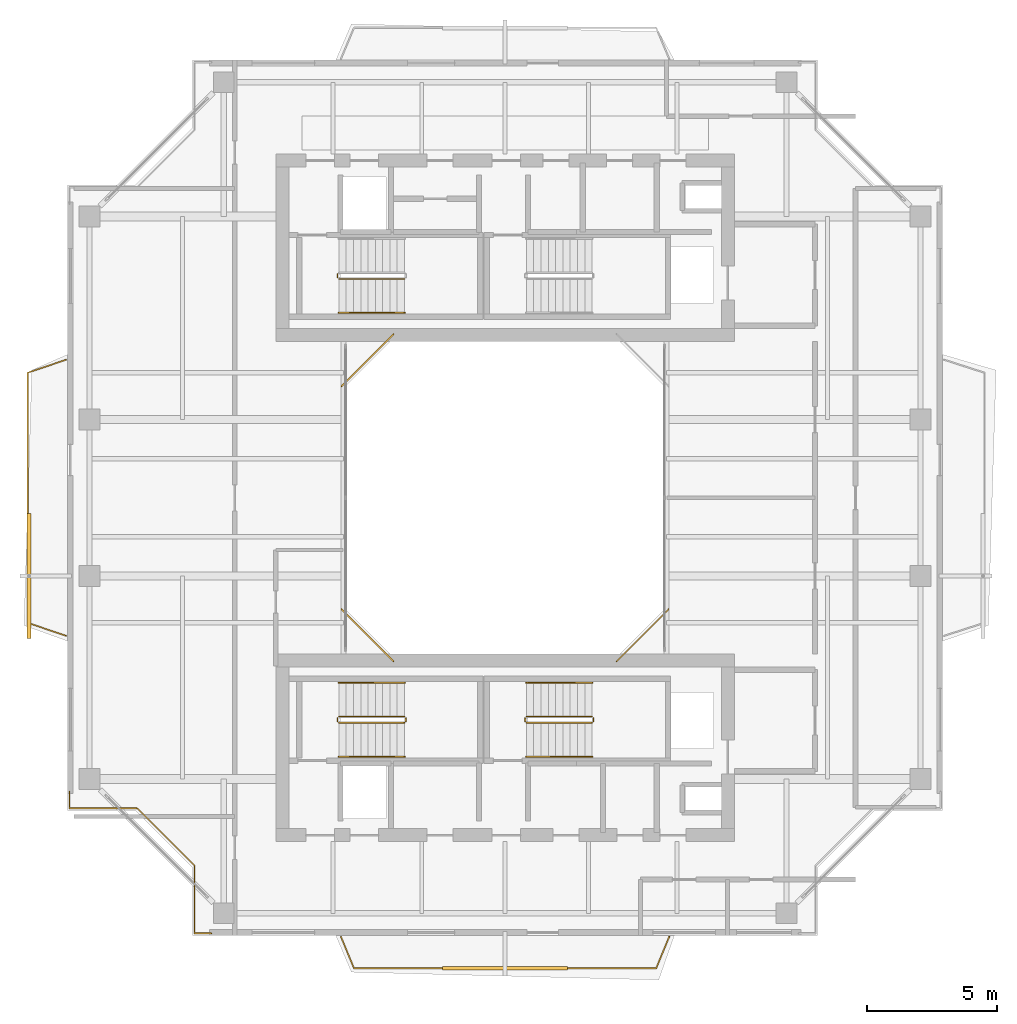
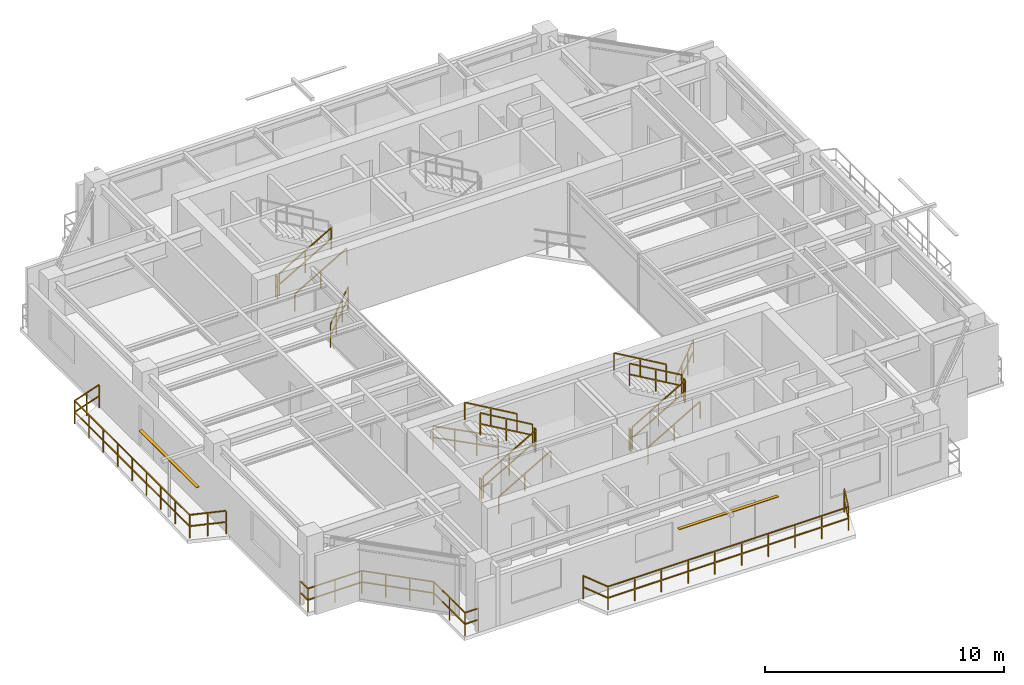
# One storey, part 14 of 16: 21 railings, 2 shading devices.
"""IFC4 building model written with IfcOpenShell, lengths in metres."""

from ifc_helpers import new_model, si_unit, direction, frame, origin, origin_2d, place, context, subcontext, project, spatial, rectangle, extrude, source, transform, mapped, material, material_profile, profile_set, type_object, element, save


model = new_model("IFC4")

# Units and contexts
model_context = context("Model", 3, precision=1e-05, world=origin(), true_north=direction((0.0, 1.0)))
body_context = subcontext(model_context, "Body", "Model", "MODEL_VIEW")
ifc_project = project(units=[si_unit("LENGTHUNIT", "METRE"), si_unit("AREAUNIT", "SQUARE_METRE"), si_unit("VOLUMEUNIT", "CUBIC_METRE"), si_unit("PLANEANGLEUNIT", "RADIAN"), si_unit("MASSUNIT", "GRAM", prefix="KILO"), si_unit("THERMODYNAMICTEMPERATUREUNIT", "KELVIN"), si_unit("POWERUNIT", "WATT")], contexts=[model_context])

# Site, building, storey
site_placement = place(None, origin())
site = spatial("IfcSite", under=ifc_project, at=site_placement, CompositionType="ELEMENT")
building_placement = place(site_placement, origin())
building = spatial("IfcBuilding", under=site, at=building_placement, Name="Qiaomeng Ring Towers", CompositionType="ELEMENT")
storey_placement = place(building_placement, frame((0.0, 0.0, 229.5)))
storey = spatial("IfcBuildingStorey", under=building, at=storey_placement, Name="L67", CompositionType="ELEMENT", Elevation=229.5)

# Railings
ifc_material_1 = material(Name="Low-E pale-green laminated safety glass", Category="glass")
railing_type_1 = type_object("IfcRailingType", Name="ARC-RL-BAL1", PredefinedType="BALUSTRADE", material=ifc_material_1)
railing_1_placement = place(storey_placement, frame((23.280029296875, 16.719970703125, 0.0)))
element("IfcRailing", 1, at=railing_1_placement, inside=storey, type_object=railing_type_1, Name="L67 Balustrade ARC-BAL-WELL1-L67-1", PredefinedType="BALUSTRADE", context=body_context, shape_type="SweptSolid", body=[
    extrude(rectangle(XDim=0.048095703125, YDim=0.048095703125, at=origin_2d()), frame((0.0, 0.0, 1.17578125), z_axis=(0.707106781187, 0.707106781187, 0.0), x_axis=(-0.707106781187, 0.707106781187, 0.0)), (0.0, 0.0, 1.0), 2.828369140625),
    extrude(rectangle(XDim=0.048095703125, YDim=0.048095703125, at=origin_2d()), frame((0.0, 0.0, 0.60009765625), z_axis=(0.707106781187, 0.707106781187, 0.0), x_axis=(-0.707106781187, 0.707106781187, 0.0)), (0.0, 0.0, 1.0), 2.828369140625),
    extrude(rectangle(XDim=0.0419921875, YDim=0.0419921875, at=origin_2d()), origin(), (0.0, 0.0, 1.0), 1.15185546875),
    extrude(rectangle(XDim=0.0419921875, YDim=0.0419921875, at=origin_2d()), frame((0.666748046875, 0.666748046875, 0.0)), (0.0, 0.0, 1.0), 1.15185546875),
    extrude(rectangle(XDim=0.0419921875, YDim=0.0419921875, at=origin_2d()), frame((1.333251953125, 1.333251953125, 0.0)), (0.0, 0.0, 1.0), 1.15185546875),
    extrude(rectangle(XDim=0.0419921875, YDim=0.0419921875, at=origin_2d()), frame((2.0, 2.0, 0.0)), (0.0, 0.0, 1.0), 1.15185546875),
])
railing_2_placement = place(storey_placement, frame((14.719970703125, 29.280029296875, 0.0)))
element("IfcRailing", 2, at=railing_2_placement, inside=storey, type_object=railing_type_1, Name="L67 Balustrade ARC-BAL-WELL1-L67-3", PredefinedType="BALUSTRADE", context=body_context, shape_type="SweptSolid", body=[
    extrude(rectangle(XDim=0.048095703125, YDim=0.048095703125, at=origin_2d()), frame((0.0, 0.0, 1.17578125), z_axis=(-0.707106781187, -0.707106781187, 0.0), x_axis=(0.707106781187, -0.707106781187, 0.0)), (0.0, 0.0, 1.0), 2.828369140625),
    extrude(rectangle(XDim=0.048095703125, YDim=0.048095703125, at=origin_2d()), frame((0.0, 0.0, 0.60009765625), z_axis=(-0.707106781187, -0.707106781187, 0.0), x_axis=(0.707106781187, -0.707106781187, 0.0)), (0.0, 0.0, 1.0), 2.828369140625),
    extrude(rectangle(XDim=0.0419921875, YDim=0.0419921875, at=origin_2d()), origin(), (0.0, 0.0, 1.0), 1.15185546875),
    extrude(rectangle(XDim=0.0419921875, YDim=0.0419921875, at=origin_2d()), frame((-0.666748046875, -0.666748046875, 0.0)), (0.0, 0.0, 1.0), 1.15185546875),
    extrude(rectangle(XDim=0.0419921875, YDim=0.0419921875, at=origin_2d()), frame((-1.333251953125, -1.333251953125, 0.0)), (0.0, 0.0, 1.0), 1.15185546875),
    extrude(rectangle(XDim=0.0419921875, YDim=0.0419921875, at=origin_2d()), frame((-2.0, -2.0, 0.0)), (0.0, 0.0, 1.0), 1.15185546875),
])
railing_3_placement = place(storey_placement, frame((12.719970703125, 18.719970703125, 0.0)))
element("IfcRailing", 3, at=railing_3_placement, inside=storey, type_object=railing_type_1, Name="L67 Balustrade ARC-BAL-WELL1-L67-4", PredefinedType="BALUSTRADE", context=body_context, shape_type="SweptSolid", body=[
    extrude(rectangle(XDim=0.048095703125, YDim=0.048095703125, at=origin_2d()), frame((0.0, 0.0, 1.17578125), z_axis=(0.707106781187, -0.707106781187, 0.0), x_axis=(0.707106781187, 0.707106781187, 0.0)), (0.0, 0.0, 1.0), 2.828369140625),
    extrude(rectangle(XDim=0.048095703125, YDim=0.048095703125, at=origin_2d()), frame((0.0, 0.0, 0.60009765625), z_axis=(0.707106781187, -0.707106781187, 0.0), x_axis=(0.707106781187, 0.707106781187, 0.0)), (0.0, 0.0, 1.0), 2.828369140625),
    extrude(rectangle(XDim=0.0419921875, YDim=0.0419921875, at=origin_2d()), origin(), (0.0, 0.0, 1.0), 1.15185546875),
    extrude(rectangle(XDim=0.0419921875, YDim=0.0419921875, at=origin_2d()), frame((0.666748046875, -0.666748046875, 0.0)), (0.0, 0.0, 1.0), 1.15185546875),
    extrude(rectangle(XDim=0.0419921875, YDim=0.0419921875, at=origin_2d()), frame((1.333251953125, -1.333251953125, 0.0)), (0.0, 0.0, 1.0), 1.15185546875),
    extrude(rectangle(XDim=0.0419921875, YDim=0.0419921875, at=origin_2d()), frame((2.0, -2.0, 0.0)), (0.0, 0.0, 1.0), 1.15185546875),
])
railing_4_placement = place(storey_placement, frame((2.280029296875, 11.72998046875, 0.0)))
element("IfcRailing", 4, at=railing_4_placement, inside=storey, type_object=railing_type_1, Name="L67 Balustrade ARC-BAL-NOTCH1-L67-SW", PredefinedType="BALUSTRADE", context=body_context, shape_type="SweptSolid", body=[
    extrude(rectangle(XDim=0.048095703125, YDim=0.048095703125, at=origin_2d()), frame((0.0, 0.0, 1.17578125), z_axis=(0.0, -1.0, 0.0), x_axis=(1.0, 0.0, 0.0)), (0.0, 0.0, 1.0), 0.64990234375),
    extrude(rectangle(XDim=0.048095703125, YDim=0.048095703125, at=origin_2d()), frame((0.0, 0.0, 0.60009765625), z_axis=(0.0, -1.0, 0.0), x_axis=(1.0, 0.0, 0.0)), (0.0, 0.0, 1.0), 0.64990234375),
    extrude(rectangle(XDim=0.048095703125, YDim=0.048095703125, at=origin_2d()), frame((0.0, -0.64990234375, 1.17578125), z_axis=(1.0, 0.0, 0.0), x_axis=(0.0, 1.0, 0.0)), (0.0, 0.0, 1.0), 2.599853515625),
    extrude(rectangle(XDim=0.048095703125, YDim=0.048095703125, at=origin_2d()), frame((0.0, -0.64990234375, 0.60009765625), z_axis=(1.0, 0.0, 0.0), x_axis=(0.0, 1.0, 0.0)), (0.0, 0.0, 1.0), 2.599853515625),
    extrude(rectangle(XDim=0.048095703125, YDim=0.048095703125, at=origin_2d()), frame((2.599853515625, -0.64990234375, 1.17578125), z_axis=(0.707106781187, -0.707106781187, 0.0), x_axis=(0.707106781187, 0.707106781187, 0.0)), (0.0, 0.0, 1.0), 3.111572265625),
    extrude(rectangle(XDim=0.048095703125, YDim=0.048095703125, at=origin_2d()), frame((2.599853515625, -0.64990234375, 0.60009765625), z_axis=(0.707106781187, -0.707106781187, 0.0), x_axis=(0.707106781187, 0.707106781187, 0.0)), (0.0, 0.0, 1.0), 3.111572265625),
    extrude(rectangle(XDim=0.048095703125, YDim=0.048095703125, at=origin_2d()), frame((4.800048828125, -2.85009765625, 1.17578125), z_axis=(0.0, -1.0, 0.0), x_axis=(1.0, 0.0, 0.0)), (0.0, 0.0, 1.0), 2.599853515625),
    extrude(rectangle(XDim=0.048095703125, YDim=0.048095703125, at=origin_2d()), frame((4.800048828125, -2.85009765625, 0.60009765625), z_axis=(0.0, -1.0, 0.0), x_axis=(1.0, 0.0, 0.0)), (0.0, 0.0, 1.0), 2.599853515625),
    extrude(rectangle(XDim=0.048095703125, YDim=0.048095703125, at=origin_2d()), frame((4.800048828125, -5.449951171875, 1.17578125), z_axis=(1.0, 0.0, 0.0), x_axis=(0.0, 1.0, 0.0)), (0.0, 0.0, 1.0), 0.64990234375),
    extrude(rectangle(XDim=0.048095703125, YDim=0.048095703125, at=origin_2d()), frame((4.800048828125, -5.449951171875, 0.60009765625), z_axis=(1.0, 0.0, 0.0), x_axis=(0.0, 1.0, 0.0)), (0.0, 0.0, 1.0), 0.64990234375),
    extrude(rectangle(XDim=0.0419921875, YDim=0.0419921875, at=origin_2d()), origin(), (0.0, 0.0, 1.0), 1.15185546875),
    extrude(rectangle(XDim=0.0419921875, YDim=0.0419921875, at=origin_2d()), frame((0.0, -0.64990234375, 0.0)), (0.0, 0.0, 1.0), 1.15185546875),
    extrude(rectangle(XDim=0.0419921875, YDim=0.0419921875, at=origin_2d()), frame((1.2998046875, -0.64990234375, 0.0)), (0.0, 0.0, 1.0), 1.15185546875),
    extrude(rectangle(XDim=0.0419921875, YDim=0.0419921875, at=origin_2d()), frame((2.599853515625, -0.64990234375, 0.0)), (0.0, 0.0, 1.0), 1.15185546875),
    extrude(rectangle(XDim=0.0419921875, YDim=0.0419921875, at=origin_2d()), frame((3.333251953125, -1.38330078125, 0.0)), (0.0, 0.0, 1.0), 1.15185546875),
    extrude(rectangle(XDim=0.0419921875, YDim=0.0419921875, at=origin_2d()), frame((4.066650390625, -2.11669921875, 0.0)), (0.0, 0.0, 1.0), 1.15185546875),
    extrude(rectangle(XDim=0.0419921875, YDim=0.0419921875, at=origin_2d()), frame((4.800048828125, -2.85009765625, 0.0)), (0.0, 0.0, 1.0), 1.15185546875),
    extrude(rectangle(XDim=0.0419921875, YDim=0.0419921875, at=origin_2d()), frame((4.800048828125, -4.14990234375, 0.0)), (0.0, 0.0, 1.0), 1.15185546875),
    extrude(rectangle(XDim=0.0419921875, YDim=0.0419921875, at=origin_2d()), frame((4.800048828125, -5.449951171875, 0.0)), (0.0, 0.0, 1.0), 1.15185546875),
    extrude(rectangle(XDim=0.0419921875, YDim=0.0419921875, at=origin_2d()), frame((5.449951171875, -5.449951171875, 0.0)), (0.0, 0.0, 1.0), 1.15185546875),
])
railing_5_placement = place(storey_placement, frame((12.699951171875, 6.14990234375, 0.0)))
element("IfcRailing", 5, at=railing_5_placement, inside=storey, type_object=railing_type_1, Name="L67 Balustrade ARC-BAL-L67-T1-S", PredefinedType="BALUSTRADE", context=body_context, shape_type="SweptSolid", body=[
    extrude(rectangle(XDim=0.048095703125, YDim=0.048095703125, at=origin_2d()), frame((0.0, 0.0, 1.17578125), z_axis=(0.381912525892, -0.924198475743, 0.0), x_axis=(0.924198475743, 0.381912525892, 0.0)), (0.0, 0.0, 1.0), 1.30908203125),
    extrude(rectangle(XDim=0.048095703125, YDim=0.048095703125, at=origin_2d()), frame((0.0, 0.0, 0.60009765625), z_axis=(0.381912525892, -0.924198475743, 0.0), x_axis=(0.924198475743, 0.381912525892, 0.0)), (0.0, 0.0, 1.0), 1.30908203125),
    extrude(rectangle(XDim=0.048095703125, YDim=0.048095703125, at=origin_2d()), frame((0.5, -1.2099609375, 1.17578125), z_axis=(1.0, 0.0, 0.0), x_axis=(0.0, 1.0, 0.0)), (0.0, 0.0, 1.0), 11.60009765625),
    extrude(rectangle(XDim=0.048095703125, YDim=0.048095703125, at=origin_2d()), frame((0.5, -1.2099609375, 0.60009765625), z_axis=(1.0, 0.0, 0.0), x_axis=(0.0, 1.0, 0.0)), (0.0, 0.0, 1.0), 11.60009765625),
    extrude(rectangle(XDim=0.048095703125, YDim=0.048095703125, at=origin_2d()), frame((12.10009765625, -1.2099609375, 1.17578125), z_axis=(0.381912525892, 0.924198475743, 0.0), x_axis=(-0.924198475743, 0.381912525892, 0.0)), (0.0, 0.0, 1.0), 1.30908203125),
    extrude(rectangle(XDim=0.048095703125, YDim=0.048095703125, at=origin_2d()), frame((12.10009765625, -1.2099609375, 0.60009765625), z_axis=(0.381912525892, 0.924198475743, 0.0), x_axis=(-0.924198475743, 0.381912525892, 0.0)), (0.0, 0.0, 1.0), 1.30908203125),
    extrude(rectangle(XDim=0.0419921875, YDim=0.0419921875, at=origin_2d()), origin(), (0.0, 0.0, 1.0), 1.15185546875),
    extrude(rectangle(XDim=0.0419921875, YDim=0.0419921875, at=origin_2d()), frame((0.5, -1.2099609375, 0.0)), (0.0, 0.0, 1.0), 1.15185546875),
    extrude(rectangle(XDim=0.0419921875, YDim=0.0419921875, at=origin_2d()), frame((1.788818359375, -1.2099609375, 0.0)), (0.0, 0.0, 1.0), 1.15185546875),
    extrude(rectangle(XDim=0.0419921875, YDim=0.0419921875, at=origin_2d()), frame((3.077880859375, -1.2099609375, 0.0)), (0.0, 0.0, 1.0), 1.15185546875),
    extrude(rectangle(XDim=0.0419921875, YDim=0.0419921875, at=origin_2d()), frame((4.36669921875, -1.2099609375, 0.0)), (0.0, 0.0, 1.0), 1.15185546875),
    extrude(rectangle(XDim=0.0419921875, YDim=0.0419921875, at=origin_2d()), frame((5.655517578125, -1.2099609375, 0.0)), (0.0, 0.0, 1.0), 1.15185546875),
    extrude(rectangle(XDim=0.0419921875, YDim=0.0419921875, at=origin_2d()), frame((6.944580078125, -1.2099609375, 0.0)), (0.0, 0.0, 1.0), 1.15185546875),
    extrude(rectangle(XDim=0.0419921875, YDim=0.0419921875, at=origin_2d()), frame((8.2333984375, -1.2099609375, 0.0)), (0.0, 0.0, 1.0), 1.15185546875),
    extrude(rectangle(XDim=0.0419921875, YDim=0.0419921875, at=origin_2d()), frame((9.522216796875, -1.2099609375, 0.0)), (0.0, 0.0, 1.0), 1.15185546875),
    extrude(rectangle(XDim=0.0419921875, YDim=0.0419921875, at=origin_2d()), frame((10.811279296875, -1.2099609375, 0.0)), (0.0, 0.0, 1.0), 1.15185546875),
    extrude(rectangle(XDim=0.0419921875, YDim=0.0419921875, at=origin_2d()), frame((12.10009765625, -1.2099609375, 0.0)), (0.0, 0.0, 1.0), 1.15185546875),
    extrude(rectangle(XDim=0.0419921875, YDim=0.0419921875, at=origin_2d()), frame((12.60009765625, 0.0, 0.0)), (0.0, 0.0, 1.0), 1.15185546875),
])
railing_6_placement = place(storey_placement, frame((2.14990234375, 17.699951171875, 0.0)))
element("IfcRailing", 6, at=railing_6_placement, inside=storey, type_object=railing_type_1, Name="L67 Balustrade ARC-BAL-L67-T1-W", PredefinedType="BALUSTRADE", context=body_context, shape_type="SweptSolid", body=[
    extrude(rectangle(XDim=0.048095703125, YDim=0.048095703125, at=origin_2d()), frame((0.0, 0.0, 1.17578125), z_axis=(-0.946731524739, 0.322023943309, 0.0), x_axis=(-0.322023943309, -0.946731524739, 0.0)), (0.0, 0.0, 1.0), 1.552734375),
    extrude(rectangle(XDim=0.048095703125, YDim=0.048095703125, at=origin_2d()), frame((0.0, 0.0, 0.60009765625), z_axis=(-0.946731524739, 0.322023943309, 0.0), x_axis=(-0.322023943309, -0.946731524739, 0.0)), (0.0, 0.0, 1.0), 1.552734375),
    extrude(rectangle(XDim=0.048095703125, YDim=0.048095703125, at=origin_2d()), frame((-1.469970703125, 0.5, 1.17578125), z_axis=(0.0, 1.0, 0.0), x_axis=(-1.0, 0.0, 0.0)), (0.0, 0.0, 1.0), 9.60009765625),
    extrude(rectangle(XDim=0.048095703125, YDim=0.048095703125, at=origin_2d()), frame((-1.469970703125, 0.5, 0.60009765625), z_axis=(0.0, 1.0, 0.0), x_axis=(-1.0, 0.0, 0.0)), (0.0, 0.0, 1.0), 9.60009765625),
    extrude(rectangle(XDim=0.048095703125, YDim=0.048095703125, at=origin_2d()), frame((-1.469970703125, 10.10009765625, 1.17578125), z_axis=(0.946731524739, 0.322023943309, 0.0), x_axis=(-0.322023943309, 0.946731524739, 0.0)), (0.0, 0.0, 1.0), 1.552734375),
    extrude(rectangle(XDim=0.048095703125, YDim=0.048095703125, at=origin_2d()), frame((-1.469970703125, 10.10009765625, 0.60009765625), z_axis=(0.946731524739, 0.322023943309, 0.0), x_axis=(-0.322023943309, 0.946731524739, 0.0)), (0.0, 0.0, 1.0), 1.552734375),
    extrude(rectangle(XDim=0.0419921875, YDim=0.0419921875, at=origin_2d()), origin(), (0.0, 0.0, 1.0), 1.15185546875),
    extrude(rectangle(XDim=0.0419921875, YDim=0.0419921875, at=origin_2d()), frame((-0.73486328125, 0.25, 0.0)), (0.0, 0.0, 1.0), 1.15185546875),
    extrude(rectangle(XDim=0.0419921875, YDim=0.0419921875, at=origin_2d()), frame((-1.469970703125, 0.5, 0.0)), (0.0, 0.0, 1.0), 1.15185546875),
    extrude(rectangle(XDim=0.0419921875, YDim=0.0419921875, at=origin_2d()), frame((-1.469970703125, 1.699951171875, 0.0)), (0.0, 0.0, 1.0), 1.15185546875),
    extrude(rectangle(XDim=0.0419921875, YDim=0.0419921875, at=origin_2d()), frame((-1.469970703125, 2.89990234375, 0.0)), (0.0, 0.0, 1.0), 1.15185546875),
    extrude(rectangle(XDim=0.0419921875, YDim=0.0419921875, at=origin_2d()), frame((-1.469970703125, 4.10009765625, 0.0)), (0.0, 0.0, 1.0), 1.15185546875),
    extrude(rectangle(XDim=0.0419921875, YDim=0.0419921875, at=origin_2d()), frame((-1.469970703125, 5.300048828125, 0.0)), (0.0, 0.0, 1.0), 1.15185546875),
    extrude(rectangle(XDim=0.0419921875, YDim=0.0419921875, at=origin_2d()), frame((-1.469970703125, 6.5, 0.0)), (0.0, 0.0, 1.0), 1.15185546875),
    extrude(rectangle(XDim=0.0419921875, YDim=0.0419921875, at=origin_2d()), frame((-1.469970703125, 7.7001953125, 0.0)), (0.0, 0.0, 1.0), 1.15185546875),
    extrude(rectangle(XDim=0.0419921875, YDim=0.0419921875, at=origin_2d()), frame((-1.469970703125, 8.900146484375, 0.0)), (0.0, 0.0, 1.0), 1.15185546875),
    extrude(rectangle(XDim=0.0419921875, YDim=0.0419921875, at=origin_2d()), frame((-1.469970703125, 10.10009765625, 0.0)), (0.0, 0.0, 1.0), 1.15185546875),
    extrude(rectangle(XDim=0.0419921875, YDim=0.0419921875, at=origin_2d()), frame((-0.73486328125, 10.35009765625, 0.0)), (0.0, 0.0, 1.0), 1.15185546875),
    extrude(rectangle(XDim=0.0419921875, YDim=0.0419921875, at=origin_2d()), frame((0.0, 10.60009765625, 0.0)), (0.0, 0.0, 1.0), 1.15185546875),
])
ifc_material_2 = material(Name="Galvanised steel", Category="steel")
railing_type_2 = type_object("IfcRailingType", Name="ARC-RL-GUARD", PredefinedType="GUARDRAIL", material=ifc_material_2)
railing_7_placement = place(storey_placement, frame((12.6201171875, 31.39990234375, 0.16259765625)))
element("IfcRailing", 7, at=railing_7_placement, inside=storey, type_object=railing_type_2, Name="L67 ST1 stair guard 1", PredefinedType="GUARDRAIL", context=body_context, shape_type="SweptSolid", body=[
    extrude(rectangle(XDim=0.048095703125, YDim=0.048095703125, at=origin_2d()), frame((0.0, 0.0, 1.1259765625), z_axis=(0.864892226395, 0.0, 0.501957604506), x_axis=(0.0, 1.0, 0.0)), (0.0, 0.0, 1.0), 2.913330078125),
    extrude(rectangle(XDim=0.048095703125, YDim=0.048095703125, at=origin_2d()), frame((0.0, 0.0, 0.574951171875), z_axis=(0.864892226395, 0.0, 0.501957604506), x_axis=(0.0, 1.0, 0.0)), (0.0, 0.0, 1.0), 2.913330078125),
    extrude(rectangle(XDim=0.0419921875, YDim=0.0419921875, at=origin_2d()), origin(), (0.0, 0.0, 1.0), 1.101806640625),
    extrude(rectangle(XDim=0.0419921875, YDim=0.0419921875, at=origin_2d()), frame((1.259765625, 0.0, 0.731201171875)), (0.0, 0.0, 1.0), 1.101806640625),
    extrude(rectangle(XDim=0.0419921875, YDim=0.0419921875, at=origin_2d()), frame((2.519775390625, 0.0, 1.46240234375)), (0.0, 0.0, 1.0), 1.101806640625),
])
railing_8_placement = place(storey_placement, frame((12.570068359375, 31.449951171875, 0.0)))
element("IfcRailing", 8, at=railing_8_placement, inside=storey, type_object=railing_type_2, Name="L67 ST1 stair guard 4", PredefinedType="GUARDRAIL", context=body_context, shape_type="SweptSolid", body=[
    extrude(rectangle(XDim=0.048095703125, YDim=0.048095703125, at=origin_2d()), frame((0.0, 0.0, 1.1259765625), z_axis=(0.0, 1.0, 0.0), x_axis=(-1.0, 0.0, 0.0)), (0.0, 0.0, 1.0), 0.14013671875),
    extrude(rectangle(XDim=0.048095703125, YDim=0.048095703125, at=origin_2d()), frame((0.0, 0.0, 0.574951171875), z_axis=(0.0, 1.0, 0.0), x_axis=(-1.0, 0.0, 0.0)), (0.0, 0.0, 1.0), 0.14013671875),
    extrude(rectangle(XDim=0.0419921875, YDim=0.0419921875, at=origin_2d()), origin(), (0.0, 0.0, 1.0), 1.101806640625),
    extrude(rectangle(XDim=0.0419921875, YDim=0.0419921875, at=origin_2d()), frame((0.0, 0.14013671875, 0.0)), (0.0, 0.0, 1.0), 1.101806640625),
])
railing_9_placement = place(storey_placement, frame((12.6201171875, 14.360107421875, 0.16259765625)))
element("IfcRailing", 9, at=railing_9_placement, inside=storey, type_object=railing_type_2, Name="L67 ST3 stair guard 1", PredefinedType="GUARDRAIL", context=body_context, shape_type="SweptSolid", body=[
    extrude(rectangle(XDim=0.048095703125, YDim=0.048095703125, at=origin_2d()), frame((0.0, 0.0, 1.1259765625), z_axis=(0.864892226395, 0.0, 0.501957604506), x_axis=(0.0, 1.0, 0.0)), (0.0, 0.0, 1.0), 2.913330078125),
    extrude(rectangle(XDim=0.048095703125, YDim=0.048095703125, at=origin_2d()), frame((0.0, 0.0, 0.574951171875), z_axis=(0.864892226395, 0.0, 0.501957604506), x_axis=(0.0, 1.0, 0.0)), (0.0, 0.0, 1.0), 2.913330078125),
    extrude(rectangle(XDim=0.0419921875, YDim=0.0419921875, at=origin_2d()), origin(), (0.0, 0.0, 1.0), 1.101806640625),
    extrude(rectangle(XDim=0.0419921875, YDim=0.0419921875, at=origin_2d()), frame((1.259765625, 0.0, 0.731201171875)), (0.0, 0.0, 1.0), 1.101806640625),
    extrude(rectangle(XDim=0.0419921875, YDim=0.0419921875, at=origin_2d()), frame((2.519775390625, 0.0, 1.46240234375)), (0.0, 0.0, 1.0), 1.101806640625),
])
railing_10_placement = place(storey_placement, frame((15.18994140625, 14.409912109375, 1.625)))
element("IfcRailing", 10, at=railing_10_placement, inside=storey, type_object=railing_type_2, Name="L67 ST3 stair guard 2", PredefinedType="GUARDRAIL", context=body_context, shape_type="SweptSolid", body=[
    extrude(rectangle(XDim=0.048095703125, YDim=0.048095703125, at=origin_2d()), frame((0.0, 0.0, 1.1259765625), z_axis=(0.0, 1.0, 0.0), x_axis=(-1.0, 0.0, 0.0)), (0.0, 0.0, 1.0), 0.14013671875),
    extrude(rectangle(XDim=0.048095703125, YDim=0.048095703125, at=origin_2d()), frame((0.0, 0.0, 0.574951171875), z_axis=(0.0, 1.0, 0.0), x_axis=(-1.0, 0.0, 0.0)), (0.0, 0.0, 1.0), 0.14013671875),
    extrude(rectangle(XDim=0.0419921875, YDim=0.0419921875, at=origin_2d()), origin(), (0.0, 0.0, 1.0), 1.101806640625),
    extrude(rectangle(XDim=0.0419921875, YDim=0.0419921875, at=origin_2d()), frame((0.0, 0.14013671875, 0.0)), (0.0, 0.0, 1.0), 1.101806640625),
])
railing_11_placement = place(storey_placement, frame((15.139892578125, 14.60009765625, 1.78759765625)))
element("IfcRailing", 11, at=railing_11_placement, inside=storey, type_object=railing_type_2, Name="L67 ST3 stair guard 3", PredefinedType="GUARDRAIL", context=body_context, shape_type="SweptSolid", body=[
    extrude(rectangle(XDim=0.048095703125, YDim=0.048095703125, at=origin_2d()), frame((0.0, 0.0, 1.1259765625), z_axis=(-0.864892226395, 0.0, 0.501957604506), x_axis=(0.0, -1.0, 0.0)), (0.0, 0.0, 1.0), 2.913330078125),
    extrude(rectangle(XDim=0.048095703125, YDim=0.048095703125, at=origin_2d()), frame((0.0, 0.0, 0.574951171875), z_axis=(-0.864892226395, 0.0, 0.501957604506), x_axis=(0.0, -1.0, 0.0)), (0.0, 0.0, 1.0), 2.913330078125),
    extrude(rectangle(XDim=0.0419921875, YDim=0.0419921875, at=origin_2d()), origin(), (0.0, 0.0, 1.0), 1.101806640625),
    extrude(rectangle(XDim=0.0419921875, YDim=0.0419921875, at=origin_2d()), frame((-1.259765625, 0.0, 0.731201171875)), (0.0, 0.0, 1.0), 1.101806640625),
    extrude(rectangle(XDim=0.0419921875, YDim=0.0419921875, at=origin_2d()), frame((-2.519775390625, 0.0, 1.46240234375)), (0.0, 0.0, 1.0), 1.101806640625),
])
railing_12_placement = place(storey_placement, frame((12.570068359375, 14.409912109375, 0.0)))
element("IfcRailing", 12, at=railing_12_placement, inside=storey, type_object=railing_type_2, Name="L67 ST3 stair guard 4", PredefinedType="GUARDRAIL", context=body_context, shape_type="SweptSolid", body=[
    extrude(rectangle(XDim=0.048095703125, YDim=0.048095703125, at=origin_2d()), frame((0.0, 0.0, 1.1259765625), z_axis=(0.0, 1.0, 0.0), x_axis=(-1.0, 0.0, 0.0)), (0.0, 0.0, 1.0), 0.14013671875),
    extrude(rectangle(XDim=0.048095703125, YDim=0.048095703125, at=origin_2d()), frame((0.0, 0.0, 0.574951171875), z_axis=(0.0, 1.0, 0.0), x_axis=(-1.0, 0.0, 0.0)), (0.0, 0.0, 1.0), 0.14013671875),
    extrude(rectangle(XDim=0.0419921875, YDim=0.0419921875, at=origin_2d()), origin(), (0.0, 0.0, 1.0), 1.101806640625),
    extrude(rectangle(XDim=0.0419921875, YDim=0.0419921875, at=origin_2d()), frame((0.0, 0.14013671875, 0.0)), (0.0, 0.0, 1.0), 1.101806640625),
])
railing_13_placement = place(storey_placement, frame((19.820068359375, 14.360107421875, 0.16259765625)))
element("IfcRailing", 13, at=railing_13_placement, inside=storey, type_object=railing_type_2, Name="L67 ST4 stair guard 1", PredefinedType="GUARDRAIL", context=body_context, shape_type="SweptSolid", body=[
    extrude(rectangle(XDim=0.048095703125, YDim=0.048095703125, at=origin_2d()), frame((0.0, 0.0, 1.1259765625), z_axis=(0.864913338283, 0.0, 0.50192122615), x_axis=(0.0, 1.0, 0.0)), (0.0, 0.0, 1.0), 2.91357421875),
    extrude(rectangle(XDim=0.048095703125, YDim=0.048095703125, at=origin_2d()), frame((0.0, 0.0, 0.574951171875), z_axis=(0.864913338283, 0.0, 0.50192122615), x_axis=(0.0, 1.0, 0.0)), (0.0, 0.0, 1.0), 2.91357421875),
    extrude(rectangle(XDim=0.0419921875, YDim=0.0419921875, at=origin_2d()), origin(), (0.0, 0.0, 1.0), 1.101806640625),
    extrude(rectangle(XDim=0.0419921875, YDim=0.0419921875, at=origin_2d()), frame((1.260009765625, 0.0, 0.731201171875)), (0.0, 0.0, 1.0), 1.101806640625),
    extrude(rectangle(XDim=0.0419921875, YDim=0.0419921875, at=origin_2d()), frame((2.52001953125, 0.0, 1.46240234375)), (0.0, 0.0, 1.0), 1.101806640625),
])
railing_14_placement = place(storey_placement, frame((22.389892578125, 14.409912109375, 1.625)))
element("IfcRailing", 14, at=railing_14_placement, inside=storey, type_object=railing_type_2, Name="L67 ST4 stair guard 2", PredefinedType="GUARDRAIL", context=body_context, shape_type="SweptSolid", body=[
    extrude(rectangle(XDim=0.048095703125, YDim=0.048095703125, at=origin_2d()), frame((0.0, 0.0, 1.1259765625), z_axis=(0.0, 1.0, 0.0), x_axis=(-1.0, 0.0, 0.0)), (0.0, 0.0, 1.0), 0.14013671875),
    extrude(rectangle(XDim=0.048095703125, YDim=0.048095703125, at=origin_2d()), frame((0.0, 0.0, 0.574951171875), z_axis=(0.0, 1.0, 0.0), x_axis=(-1.0, 0.0, 0.0)), (0.0, 0.0, 1.0), 0.14013671875),
    extrude(rectangle(XDim=0.0419921875, YDim=0.0419921875, at=origin_2d()), origin(), (0.0, 0.0, 1.0), 1.101806640625),
    extrude(rectangle(XDim=0.0419921875, YDim=0.0419921875, at=origin_2d()), frame((0.0, 0.14013671875, 0.0)), (0.0, 0.0, 1.0), 1.101806640625),
])
railing_15_placement = place(storey_placement, frame((22.340087890625, 14.60009765625, 1.78759765625)))
element("IfcRailing", 15, at=railing_15_placement, inside=storey, type_object=railing_type_2, Name="L67 ST4 stair guard 3", PredefinedType="GUARDRAIL", context=body_context, shape_type="SweptSolid", body=[
    extrude(rectangle(XDim=0.048095703125, YDim=0.048095703125, at=origin_2d()), frame((0.0, 0.0, 1.1259765625), z_axis=(-0.864913338283, 0.0, 0.50192122615), x_axis=(0.0, -1.0, 0.0)), (0.0, 0.0, 1.0), 2.91357421875),
    extrude(rectangle(XDim=0.048095703125, YDim=0.048095703125, at=origin_2d()), frame((0.0, 0.0, 0.574951171875), z_axis=(-0.864913338283, 0.0, 0.50192122615), x_axis=(0.0, -1.0, 0.0)), (0.0, 0.0, 1.0), 2.91357421875),
    extrude(rectangle(XDim=0.0419921875, YDim=0.0419921875, at=origin_2d()), origin(), (0.0, 0.0, 1.0), 1.101806640625),
    extrude(rectangle(XDim=0.0419921875, YDim=0.0419921875, at=origin_2d()), frame((-1.260009765625, 0.0, 0.731201171875)), (0.0, 0.0, 1.0), 1.101806640625),
    extrude(rectangle(XDim=0.0419921875, YDim=0.0419921875, at=origin_2d()), frame((-2.52001953125, 0.0, 1.46240234375)), (0.0, 0.0, 1.0), 1.101806640625),
])
railing_16_placement = place(storey_placement, frame((19.77001953125, 14.409912109375, 0.0)))
element("IfcRailing", 16, at=railing_16_placement, inside=storey, type_object=railing_type_2, Name="L67 ST4 stair guard 4", PredefinedType="GUARDRAIL", context=body_context, shape_type="SweptSolid", body=[
    extrude(rectangle(XDim=0.048095703125, YDim=0.048095703125, at=origin_2d()), frame((0.0, 0.0, 1.1259765625), z_axis=(0.0, 1.0, 0.0), x_axis=(-1.0, 0.0, 0.0)), (0.0, 0.0, 1.0), 0.14013671875),
    extrude(rectangle(XDim=0.048095703125, YDim=0.048095703125, at=origin_2d()), frame((0.0, 0.0, 0.574951171875), z_axis=(0.0, 1.0, 0.0), x_axis=(-1.0, 0.0, 0.0)), (0.0, 0.0, 1.0), 0.14013671875),
    extrude(rectangle(XDim=0.0419921875, YDim=0.0419921875, at=origin_2d()), origin(), (0.0, 0.0, 1.0), 1.101806640625),
    extrude(rectangle(XDim=0.0419921875, YDim=0.0419921875, at=origin_2d()), frame((0.0, 0.14013671875, 0.0)), (0.0, 0.0, 1.0), 1.101806640625),
])
ifc_material_3 = material(Name="Stainless steel 316", Category="steel")
railing_type_3 = type_object("IfcRailingType", Name="ARC-RL-HAND", PredefinedType="HANDRAIL", material=ifc_material_3)
for number, where, name in (
    (17, (12.6201171875, 30.10009765625, 0.16259765625), "L67 ST1 stair handrail 1"),
    (18, (12.6201171875, 13.06005859375, 0.16259765625), "L67 ST3 stair handrail 1"),
):
    element("IfcRailing", number, at=place(storey_placement, frame(where)), inside=storey, type_object=railing_type_3, Name=name, PredefinedType="HANDRAIL", context=body_context, shape_type="SweptSolid", body=[
        extrude(rectangle(XDim=0.048095703125, YDim=0.048095703125, at=origin_2d()), frame((0.0, 0.0, 0.8759765625), z_axis=(0.864892226395, 0.0, 0.501957604506), x_axis=(0.0, 1.0, 0.0)), (0.0, 0.0, 1.0), 2.913330078125),
        extrude(rectangle(XDim=0.0419921875, YDim=0.0419921875, at=origin_2d()), origin(), (0.0, 0.0, 1.0), 0.851806640625),
        extrude(rectangle(XDim=0.0419921875, YDim=0.0419921875, at=origin_2d()), frame((1.259765625, 0.0, 0.731201171875)), (0.0, 0.0, 1.0), 0.851806640625),
        extrude(rectangle(XDim=0.0419921875, YDim=0.0419921875, at=origin_2d()), frame((2.519775390625, 0.0, 1.46240234375)), (0.0, 0.0, 1.0), 0.851806640625),
    ])
railing_17_placement = place(storey_placement, frame((15.139892578125, 15.89990234375, 1.78759765625)))
element("IfcRailing", 19, at=railing_17_placement, inside=storey, type_object=railing_type_3, Name="L67 ST3 stair handrail 2", PredefinedType="HANDRAIL", context=body_context, shape_type="SweptSolid", body=[
    extrude(rectangle(XDim=0.048095703125, YDim=0.048095703125, at=origin_2d()), frame((0.0, 0.0, 0.8759765625), z_axis=(-0.864892226395, 0.0, 0.501957604506), x_axis=(0.0, -1.0, 0.0)), (0.0, 0.0, 1.0), 2.913330078125),
    extrude(rectangle(XDim=0.0419921875, YDim=0.0419921875, at=origin_2d()), origin(), (0.0, 0.0, 1.0), 0.851806640625),
    extrude(rectangle(XDim=0.0419921875, YDim=0.0419921875, at=origin_2d()), frame((-1.259765625, 0.0, 0.731201171875)), (0.0, 0.0, 1.0), 0.851806640625),
    extrude(rectangle(XDim=0.0419921875, YDim=0.0419921875, at=origin_2d()), frame((-2.519775390625, 0.0, 1.46240234375)), (0.0, 0.0, 1.0), 0.851806640625),
])
railing_18_placement = place(storey_placement, frame((19.820068359375, 13.06005859375, 0.16259765625)))
element("IfcRailing", 20, at=railing_18_placement, inside=storey, type_object=railing_type_3, Name="L67 ST4 stair handrail 1", PredefinedType="HANDRAIL", context=body_context, shape_type="SweptSolid", body=[
    extrude(rectangle(XDim=0.048095703125, YDim=0.048095703125, at=origin_2d()), frame((0.0, 0.0, 0.8759765625), z_axis=(0.864913338283, 0.0, 0.50192122615), x_axis=(0.0, 1.0, 0.0)), (0.0, 0.0, 1.0), 2.91357421875),
    extrude(rectangle(XDim=0.0419921875, YDim=0.0419921875, at=origin_2d()), origin(), (0.0, 0.0, 1.0), 0.851806640625),
    extrude(rectangle(XDim=0.0419921875, YDim=0.0419921875, at=origin_2d()), frame((1.260009765625, 0.0, 0.731201171875)), (0.0, 0.0, 1.0), 0.851806640625),
    extrude(rectangle(XDim=0.0419921875, YDim=0.0419921875, at=origin_2d()), frame((2.52001953125, 0.0, 1.46240234375)), (0.0, 0.0, 1.0), 0.851806640625),
])
railing_19_placement = place(storey_placement, frame((22.340087890625, 15.89990234375, 1.78759765625)))
element("IfcRailing", 21, at=railing_19_placement, inside=storey, type_object=railing_type_3, Name="L67 ST4 stair handrail 2", PredefinedType="HANDRAIL", context=body_context, shape_type="SweptSolid", body=[
    extrude(rectangle(XDim=0.048095703125, YDim=0.048095703125, at=origin_2d()), frame((0.0, 0.0, 0.8759765625), z_axis=(-0.864913338283, 0.0, 0.50192122615), x_axis=(0.0, -1.0, 0.0)), (0.0, 0.0, 1.0), 2.91357421875),
    extrude(rectangle(XDim=0.0419921875, YDim=0.0419921875, at=origin_2d()), origin(), (0.0, 0.0, 1.0), 0.851806640625),
    extrude(rectangle(XDim=0.0419921875, YDim=0.0419921875, at=origin_2d()), frame((-1.260009765625, 0.0, 0.731201171875)), (0.0, 0.0, 1.0), 0.851806640625),
    extrude(rectangle(XDim=0.0419921875, YDim=0.0419921875, at=origin_2d()), frame((-2.52001953125, 0.0, 1.46240234375)), (0.0, 0.0, 1.0), 0.851806640625),
])

# Shading devices
ifc_material_4 = material(Name="Fluorocarbon dark-grey aluminium", Category="aluminium")
ifc_material_profile = material_profile(ifc_material_4, rectangle(XDim=0.14990234375, YDim=0.034912109375, at=origin_2d()), Name="LV BLADE 150x35")
ifc_profile_set = profile_set([ifc_material_profile], Name="Fluorocarbon dark-grey aluminium")
shading_device_type = type_object("IfcShadingDeviceType", Name="ARC-SHD-SUN", PredefinedType="AWNING", material=ifc_profile_set)
shared_shape = source(origin(), body_context, "Body", "SweptSolid", [
    extrude(rectangle(XDim=0.14990234375, YDim=0.034912109375, at=origin_2d()), origin(), (0.0, 0.0, 1.0), 4.7998046875),
])
for number, where, z_axis, x_axis, name in (
    (22, (16.60009765625, 4.93994140625, 2.929931640625), (1.0, 0.0, 0.0), (0.0, 1.0, 0.0), "L67 Ventilated Outer-Skin Sunshade S"),
    (23, (0.72998046875, 17.60009765625, 2.929931640625), (0.0, 1.0, 0.0), (-1.0, 0.0, 0.0), "L67 Ventilated Outer-Skin Sunshade W"),
):
    element("IfcShadingDevice", number, at=place(storey_placement, frame(where, z_axis=z_axis, x_axis=x_axis)), inside=storey, type_object=shading_device_type, Name=name, PredefinedType="AWNING", context=body_context, shape_type="MappedRepresentation", body=[
        mapped(shared_shape, transform((0.0, 0.0, 0.0), x_axis=(1.0, 0.0, 0.0), y_axis=(0.0, 1.0, 0.0), z_axis=(0.0, 0.0, 1.0), scale=1.0)),
    ])

save(model, "model.ifc")
